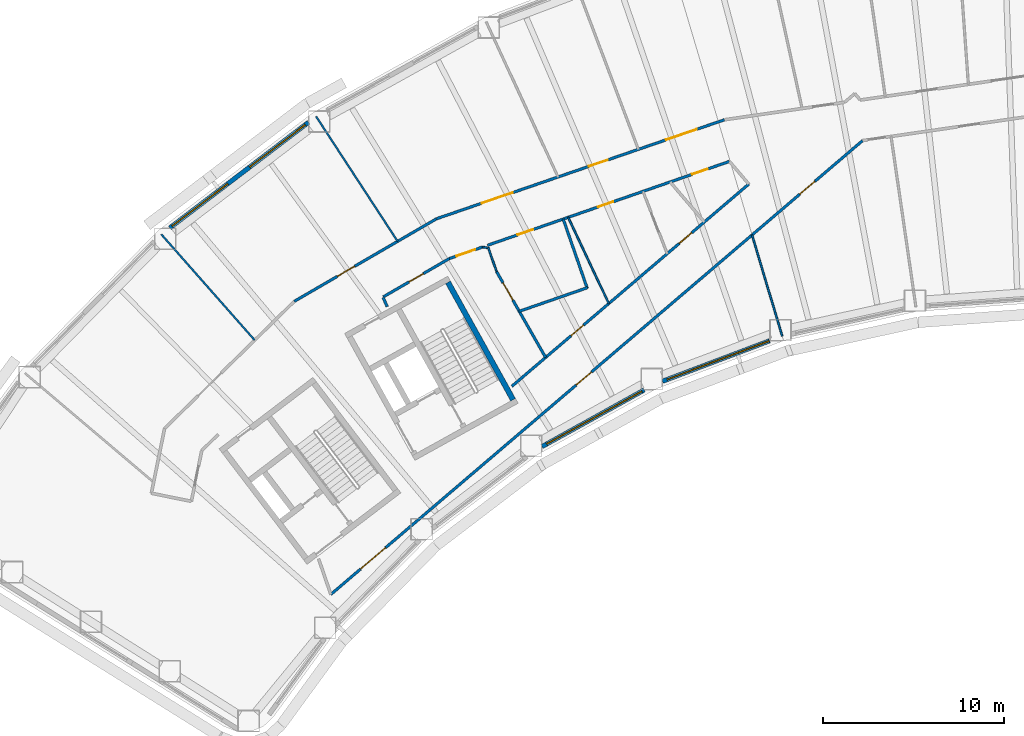
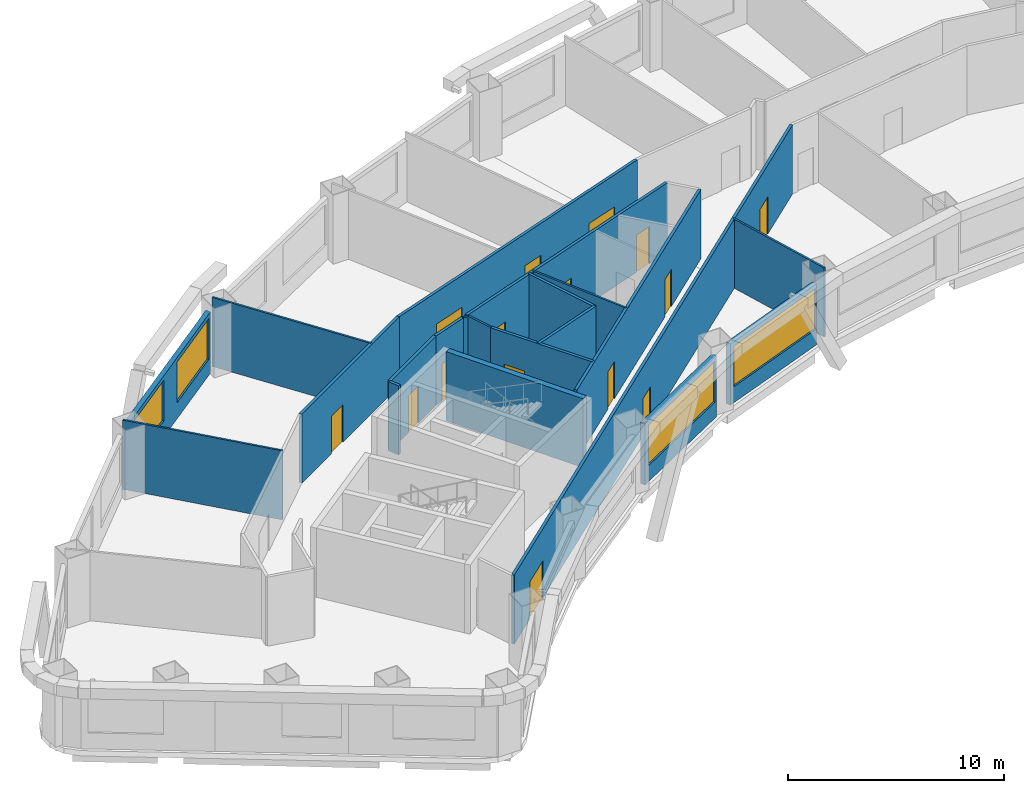
# One storey, part 4 of 15: 21 walls, 15 doors, 4 windows, 19 openings.
"""IFC4 building model written with IfcOpenShell, lengths in metres."""

from ifc_helpers import new_model, si_unit, direction, frame, frame_2d, origin, place, context, subcontext, project, spatial, rectangle, extrude, material, layer, layer_set, type_object, element, fill, save


model = new_model("IFC4")

# Units and contexts
model_context = context("Model", 3, precision=1e-05, world=origin(), true_north=direction((0.0, 1.0)))
body_context = subcontext(model_context, "Body", "Model", "MODEL_VIEW")
ifc_project = project(units=[si_unit("LENGTHUNIT", "METRE"), si_unit("AREAUNIT", "SQUARE_METRE"), si_unit("VOLUMEUNIT", "CUBIC_METRE"), si_unit("PLANEANGLEUNIT", "RADIAN"), si_unit("MASSUNIT", "GRAM", prefix="KILO")], contexts=[model_context])

# Site, building, storey
site_placement = place(None, origin())
site = spatial("IfcSite", under=ifc_project, at=site_placement, CompositionType="ELEMENT")
building_placement = place(site_placement, origin())
building = spatial("IfcBuilding", under=site, at=building_placement, Name="Tuul Gate Civic Tower", CompositionType="ELEMENT")
storey_placement = place(building_placement, frame((0.0, 0.0, 78.0)))
storey = spatial("IfcBuildingStorey", under=building, at=storey_placement, Name="Level 17", CompositionType="ELEMENT", Elevation=78.0)

# Wall
ifc_material_1 = material(Name="Concrete C50/60", Category="concrete")
ifc_layer_1 = layer(ifc_material_1, 0.300048828125)
ifc_layer_set_1 = layer_set([ifc_layer_1], Name="Concrete C50/60")
wall_type_1 = type_object("IfcWallType", Name="Core wall C50/60", PredefinedType="SHEAR", material=ifc_layer_set_1)
wall_1_placement = place(storey_placement, frame((-24.91552734375, -8.6572265625, 0.0), z_axis=(0.0, 0.0, 1.0), x_axis=(-0.484777133038, 0.874637714304, 0.0)))
element("IfcWall", 1, at=wall_1_placement, inside=storey, type_object=wall_type_1, Name="Core wall", PredefinedType="SHEAR", context=body_context, shape_type="SweptSolid", body=[
    extrude(rectangle(XDim=7.400146484375, YDim=0.300048828125, at=frame_2d((3.7001953125, 0.0))), origin(), (0.0, 0.0, 1.0), 3.89990234375),
])

# Wall, openings, doors
ifc_material_2 = material(Name="Gypsum board partition")
ifc_layer_2 = layer(ifc_material_2, 0.14990234375)
ifc_layer_set_2 = layer_set([ifc_layer_2], Name="Gypsum board partition")
wall_type_2 = type_object("IfcWallType", Name="Corridor wall P150", PredefinedType="PARTITIONING", material=ifc_layer_set_2)
wall_2_placement = place(storey_placement, frame((-24.98388671875, -7.9140625, 0.0), z_axis=(0.0, 0.0, 1.0), x_axis=(0.76064807298, 0.649164469971, 0.0)))
wall_2 = element("IfcWall", 2, at=wall_2_placement, inside=storey, type_object=wall_type_2, Name="p032", PredefinedType="PARTITIONING", context=body_context, shape_type="SweptSolid", body=[
    extrude(rectangle(XDim=17.1689453125, YDim=0.14990234375, at=frame_2d((8.58447265625, 0.0))), origin(), (0.0, 0.0, 1.0), 3.89990234375),
])
opening_1_placement = place(wall_2_placement, frame((12.131591796875, 0.0, 0.0)))
opening_1 = element("IfcOpeningElement", 3, at=opening_1_placement, cuts=wall_2, Name="Opening E-D27", PredefinedType="OPENING", context=body_context, shape_type="SweptSolid", body=[
    extrude(rectangle(XDim=0.89990234375, YDim=2.10009765625, at=frame_2d((0.449951171875, 1.050048828125))), frame((0.0, 0.0849609375, 0.0), z_axis=(0.0, -1.0, 0.0), x_axis=(1.0, 0.0, 0.0)), (0.0, 0.0, 1.0), 0.169921875),
])
opening_2_placement = place(wall_2_placement, frame((4.291748046875, 0.0, 0.0)))
opening_2 = element("IfcOpeningElement", 4, at=opening_2_placement, cuts=wall_2, Name="Opening E-D28", PredefinedType="OPENING", context=body_context, shape_type="SweptSolid", body=[
    extrude(rectangle(XDim=0.89990234375, YDim=2.10009765625, at=frame_2d((0.449951171875, 1.050048828125))), frame((0.0, 0.0849609375, 0.0), z_axis=(0.0, -1.0, 0.0), x_axis=(1.0, 0.0, 0.0)), (0.0, 0.0, 1.0), 0.169921875),
])
ifc_material_3 = material(Name="Timber door leaf", Category="wood")
door_type_1 = type_object("IfcDoorType", Name="Door D09", OperationType="NOTDEFINED", PredefinedType="DOOR", material=ifc_material_3)
door_1_placement = place(opening_1_placement, origin())
door_1 = element("IfcDoor", 5, at=door_1_placement, inside=storey, type_object=door_type_1, Name="Door E-D27", OperationType="SINGLE_SWING_LEFT", OverallHeight=2.10009765625, OverallWidth=0.89990234375, PredefinedType="DOOR", context=body_context, shape_type="SweptSolid", body=[
    extrude(rectangle(XDim=0.89990234375, YDim=2.10009765625, at=frame_2d((0.449951171875, 1.050048828125))), frame((0.0, 0.02490234375, 0.0), z_axis=(0.0, -1.0, 0.0), x_axis=(1.0, 0.0, 0.0)), (0.0, 0.0, 1.0), 0.050048828125),
])
fill(opening_1, door_1)
door_2_placement = place(opening_2_placement, origin())
door_2 = element("IfcDoor", 6, at=door_2_placement, inside=storey, type_object=door_type_1, Name="Door E-D28", OperationType="SINGLE_SWING_RIGHT", OverallHeight=2.10009765625, OverallWidth=0.89990234375, PredefinedType="DOOR", context=body_context, shape_type="SweptSolid", body=[
    extrude(rectangle(XDim=0.89990234375, YDim=2.10009765625, at=frame_2d((0.449951171875, 1.050048828125))), frame((0.0, 0.02490234375, 0.0), z_axis=(0.0, -1.0, 0.0), x_axis=(1.0, 0.0, 0.0)), (0.0, 0.0, 1.0), 0.050048828125),
])
fill(opening_2, door_2)

wall_3_placement = place(storey_placement, frame((-29.138427734375, 1.318115234375, 0.0), z_axis=(0.0, 0.0, 1.0), x_axis=(0.945651374617, 0.325182222276, 0.0)))
wall_3 = element("IfcWall", 7, at=wall_3_placement, inside=storey, type_object=wall_type_2, Name="p035", PredefinedType="PARTITIONING", context=body_context, shape_type="SweptSolid", body=[
    extrude(rectangle(XDim=16.7822265625, YDim=0.14990234375, at=frame_2d((8.39111328125, 0.0))), origin(), (0.0, 0.0, 1.0), 3.89990234375),
])
opening_3_placement = place(wall_3_placement, frame((13.3759765625, 0.0, 0.0)))
opening_3 = element("IfcOpeningElement", 8, at=opening_3_placement, cuts=wall_3, Name="Opening E-D10", PredefinedType="OPENING", context=body_context, shape_type="SweptSolid", body=[
    extrude(rectangle(XDim=1.800048828125, YDim=2.10009765625, at=frame_2d((0.89990234375, 1.050048828125))), frame((0.0, 0.0849609375, 0.0), z_axis=(0.0, -1.0, 0.0), x_axis=(1.0, 0.0, 0.0)), (0.0, 0.0, 1.0), 0.169921875),
])
opening_4_placement = place(wall_3_placement, frame((8.877197265625, 0.0, 0.0)))
opening_4 = element("IfcOpeningElement", 9, at=opening_4_placement, cuts=wall_3, Name="Opening E-D11", PredefinedType="OPENING", context=body_context, shape_type="SweptSolid", body=[
    extrude(rectangle(XDim=1.10009765625, YDim=2.10009765625, at=frame_2d((0.550048828125, 1.050048828125))), frame((0.0, 0.0849609375, 0.0), z_axis=(0.0, -1.0, 0.0), x_axis=(1.0, 0.0, 0.0)), (0.0, 0.0, 1.0), 0.169921875),
])
opening_5_placement = place(wall_3_placement, frame((2.642333984375, 0.0, 0.0)))
opening_5 = element("IfcOpeningElement", 10, at=opening_5_placement, cuts=wall_3, Name="Opening E-D12", PredefinedType="OPENING", context=body_context, shape_type="SweptSolid", body=[
    extrude(rectangle(XDim=1.800048828125, YDim=2.10009765625, at=frame_2d((0.89990234375, 1.050048828125))), frame((0.0, 0.0849609375, 0.0), z_axis=(0.0, -1.0, 0.0), x_axis=(1.0, 0.0, 0.0)), (0.0, 0.0, 1.0), 0.169921875),
])
ifc_material_4 = material(Name="Timber door leaf", Category="wood")
door_type_2 = type_object("IfcDoorType", Name="Door D11", OperationType="NOTDEFINED", PredefinedType="DOOR", material=ifc_material_4)
door_3_placement = place(opening_4_placement, origin())
door_3 = element("IfcDoor", 11, at=door_3_placement, inside=storey, type_object=door_type_2, Name="Door E-D11", OperationType="SINGLE_SWING_RIGHT", OverallHeight=2.10009765625, OverallWidth=1.10009765625, PredefinedType="DOOR", context=body_context, shape_type="SweptSolid", body=[
    extrude(rectangle(XDim=1.10009765625, YDim=2.10009765625, at=frame_2d((0.550048828125, 1.050048828125))), frame((0.0, 0.02490234375, 0.0), z_axis=(0.0, -1.0, 0.0), x_axis=(1.0, 0.0, 0.0)), (0.0, 0.0, 1.0), 0.050048828125),
])
fill(opening_4, door_3)
ifc_material_5 = material(Name="Timber door leaf, double", Category="wood")
door_type_3 = type_object("IfcDoorType", Name="Door D18", OperationType="DOUBLE_DOOR_SINGLE_SWING", PredefinedType="DOOR", material=ifc_material_5)
door_4_placement = place(opening_3_placement, origin())
door_4 = element("IfcDoor", 12, at=door_4_placement, inside=storey, type_object=door_type_3, Name="Door E-D10", OperationType="DOUBLE_DOOR_SINGLE_SWING", OverallHeight=2.10009765625, OverallWidth=1.800048828125, PredefinedType="DOOR", context=body_context, shape_type="SweptSolid", body=[
    extrude(rectangle(XDim=1.800048828125, YDim=2.10009765625, at=frame_2d((0.89990234375, 1.050048828125))), frame((0.0, 0.02490234375, 0.0), z_axis=(0.0, -1.0, 0.0), x_axis=(1.0, 0.0, 0.0)), (0.0, 0.0, 1.0), 0.050048828125),
])
fill(opening_3, door_4)
door_5_placement = place(opening_5_placement, origin())
door_5 = element("IfcDoor", 13, at=door_5_placement, inside=storey, type_object=door_type_3, Name="Door E-D12", OperationType="DOUBLE_DOOR_SINGLE_SWING", OverallHeight=2.10009765625, OverallWidth=1.800048828125, PredefinedType="DOOR", context=body_context, shape_type="SweptSolid", body=[
    extrude(rectangle(XDim=1.800048828125, YDim=2.10009765625, at=frame_2d((0.89990234375, 1.050048828125))), frame((0.0, 0.02490234375, 0.0), z_axis=(0.0, -1.0, 0.0), x_axis=(1.0, 0.0, 0.0)), (0.0, 0.0, 1.0), 0.050048828125),
])
fill(opening_5, door_5)

# Wall, opening, door
wall_4_placement = place(storey_placement, frame((-36.976806640625, -3.2333984375, 0.0), z_axis=(0.0, 0.0, 1.0), x_axis=(0.864782531792, 0.502146564967, 0.0)))
wall_4 = element("IfcWall", 14, at=wall_4_placement, inside=storey, type_object=wall_type_2, Name="p038", PredefinedType="PARTITIONING", context=body_context, shape_type="SweptSolid", body=[
    extrude(rectangle(XDim=9.063232421875, YDim=0.14990234375, at=frame_2d((4.53173828125, 0.0))), origin(), (0.0, 0.0, 1.0), 3.89990234375),
])
opening_6_placement = place(wall_4_placement, frame((2.744384765625, 0.0, 0.0)))
opening_6 = element("IfcOpeningElement", 15, at=opening_6_placement, cuts=wall_4, Name="Opening E-D13", PredefinedType="OPENING", context=body_context, shape_type="SweptSolid", body=[
    extrude(rectangle(XDim=1.10009765625, YDim=2.10009765625, at=frame_2d((0.550048828125, 1.050048828125))), frame((0.0, 0.0849609375, 0.0), z_axis=(0.0, -1.0, 0.0), x_axis=(1.0, 0.0, 0.0)), (0.0, 0.0, 1.0), 0.169921875),
])
door_6_placement = place(opening_6_placement, origin())
door_6 = element("IfcDoor", 16, at=door_6_placement, inside=storey, type_object=door_type_2, Name="Door E-D13", OperationType="SINGLE_SWING_RIGHT", OverallHeight=2.10009765625, OverallWidth=1.10009765625, PredefinedType="DOOR", context=body_context, shape_type="SweptSolid", body=[
    extrude(rectangle(XDim=1.10009765625, YDim=2.10009765625, at=frame_2d((0.550048828125, 1.050048828125))), frame((0.0, 0.02490234375, 0.0), z_axis=(0.0, -1.0, 0.0), x_axis=(1.0, 0.0, 0.0)), (0.0, 0.0, 1.0), 0.050048828125),
])
fill(opening_6, door_6)

# Wall, openings, doors
wall_5_placement = place(storey_placement, frame((-34.96142578125, -19.38720703125, 0.0), z_axis=(0.0, 0.0, 1.0), x_axis=(0.760648138959, 0.649164392661, 0.0)))
wall_5 = element("IfcWall", 17, at=wall_5_placement, inside=storey, type_object=wall_type_2, Name="p053", PredefinedType="PARTITIONING", context=body_context, shape_type="SweptSolid", body=[
    extrude(rectangle(XDim=38.529541015625, YDim=0.14990234375, at=frame_2d((19.2646484375, 0.0))), origin(), (0.0, 0.0, 1.0), 3.89990234375),
])
opening_7_placement = place(wall_5_placement, frame((33.977294921875, 0.0, 0.0)))
opening_7 = element("IfcOpeningElement", 18, at=opening_7_placement, cuts=wall_5, Name="Opening E-D17", PredefinedType="OPENING", context=body_context, shape_type="SweptSolid", body=[
    extrude(rectangle(XDim=1.10009765625, YDim=2.10009765625, at=frame_2d((0.550048828125, 1.050048828125))), frame((0.0, 0.0849609375, 0.0), z_axis=(0.0, -1.0, 0.0), x_axis=(1.0, 0.0, 0.0)), (0.0, 0.0, 1.0), 0.169921875),
])
opening_8_placement = place(wall_5_placement, frame((17.776611328125, 0.0, 0.0)))
opening_8 = element("IfcOpeningElement", 19, at=opening_8_placement, cuts=wall_5, Name="Opening E-D18", PredefinedType="OPENING", context=body_context, shape_type="SweptSolid", body=[
    extrude(rectangle(XDim=1.10009765625, YDim=2.10009765625, at=frame_2d((0.550048828125, 1.050048828125))), frame((0.0, 0.0849609375, 0.0), z_axis=(0.0, -1.0, 0.0), x_axis=(1.0, 0.0, 0.0)), (0.0, 0.0, 1.0), 0.169921875),
])
opening_9_placement = place(wall_5_placement, frame((2.1640625, 0.0, 0.0)))
opening_9 = element("IfcOpeningElement", 20, at=opening_9_placement, cuts=wall_5, Name="Opening E-D19", PredefinedType="OPENING", context=body_context, shape_type="SweptSolid", body=[
    extrude(rectangle(XDim=1.800048828125, YDim=2.10009765625, at=frame_2d((0.89990234375, 1.050048828125))), frame((0.0, 0.0849609375, 0.0), z_axis=(0.0, -1.0, 0.0), x_axis=(1.0, 0.0, 0.0)), (0.0, 0.0, 1.0), 0.169921875),
])
door_7_placement = place(opening_7_placement, frame((1.10009765625, 0.0, 0.0), z_axis=(0.0, 0.0, 1.0), x_axis=(-1.0, 0.0, 0.0)))
door_7 = element("IfcDoor", 21, at=door_7_placement, inside=storey, type_object=door_type_2, Name="Door E-D17", OperationType="SINGLE_SWING_LEFT", OverallHeight=2.10009765625, OverallWidth=1.10009765625, PredefinedType="DOOR", context=body_context, shape_type="SweptSolid", body=[
    extrude(rectangle(XDim=1.10009765625, YDim=2.10009765625, at=frame_2d((0.550048828125, 1.050048828125))), frame((0.0, 0.02490234375, 0.0), z_axis=(0.0, -1.0, 0.0), x_axis=(1.0, 0.0, 0.0)), (0.0, 0.0, 1.0), 0.050048828125),
])
fill(opening_7, door_7)
door_8_placement = place(opening_8_placement, frame((1.10009765625, 0.0, 0.0), z_axis=(0.0, 0.0, 1.0), x_axis=(-1.0, 0.0, 0.0)))
door_8 = element("IfcDoor", 22, at=door_8_placement, inside=storey, type_object=door_type_2, Name="Door E-D18", OperationType="SINGLE_SWING_LEFT", OverallHeight=2.10009765625, OverallWidth=1.10009765625, PredefinedType="DOOR", context=body_context, shape_type="SweptSolid", body=[
    extrude(rectangle(XDim=1.10009765625, YDim=2.10009765625, at=frame_2d((0.550048828125, 1.050048828125))), frame((0.0, 0.02490234375, 0.0), z_axis=(0.0, -1.0, 0.0), x_axis=(1.0, 0.0, 0.0)), (0.0, 0.0, 1.0), 0.050048828125),
])
fill(opening_8, door_8)
door_9_placement = place(opening_9_placement, frame((1.800048828125, 0.0, 0.0), z_axis=(0.0, 0.0, 1.0), x_axis=(-1.0, 0.0, 0.0)))
door_9 = element("IfcDoor", 23, at=door_9_placement, inside=storey, type_object=door_type_3, Name="Door E-D19", OperationType="DOUBLE_DOOR_SINGLE_SWING", OverallHeight=2.10009765625, OverallWidth=1.800048828125, PredefinedType="DOOR", context=body_context, shape_type="SweptSolid", body=[
    extrude(rectangle(XDim=1.800048828125, YDim=2.10009765625, at=frame_2d((0.900146484375, 1.050048828125))), frame((0.0, 0.02490234375, 0.0), z_axis=(0.0, -1.0, 0.0), x_axis=(1.0, 0.0, 0.0)), (0.0, 0.0, 1.0), 0.050048828125),
])
fill(opening_9, door_9)

# Wall, opening, door
wall_6_placement = place(storey_placement, frame((-28.43408203125, -0.87451171875, 0.0), z_axis=(0.0, 0.0, 1.0), x_axis=(0.944764559764, 0.327749792698, 0.0)))
wall_6 = element("IfcWall", 24, at=wall_6_placement, inside=storey, type_object=wall_type_2, Name="p069", PredefinedType="PARTITIONING", context=body_context, shape_type="SweptSolid", body=[
    extrude(rectangle(XDim=1.941162109375, YDim=0.14990234375, at=frame_2d((0.970703125, 0.0))), origin(), (0.0, 0.0, 1.0), 3.89990234375),
])
opening_10_placement = place(wall_6_placement, frame((0.420654296875, 0.0, 0.0)))
opening_10 = element("IfcOpeningElement", 25, at=opening_10_placement, cuts=wall_6, Name="Opening E-D35", PredefinedType="OPENING", context=body_context, shape_type="SweptSolid", body=[
    extrude(rectangle(XDim=1.10009765625, YDim=2.10009765625, at=frame_2d((0.550048828125, 1.050048828125))), frame((0.0, 0.0849609375, 0.0), z_axis=(0.0, -1.0, 0.0), x_axis=(1.0, 0.0, 0.0)), (0.0, 0.0, 1.0), 0.169921875),
])
door_10_placement = place(opening_10_placement, frame((1.10009765625, 0.0, 0.0), z_axis=(0.0, 0.0, 1.0), x_axis=(-1.0, 0.0, 0.0)))
door_10 = element("IfcDoor", 26, at=door_10_placement, inside=storey, type_object=door_type_2, Name="Door E-D35", OperationType="SINGLE_SWING_LEFT", OverallHeight=2.10009765625, OverallWidth=1.10009765625, PredefinedType="DOOR", context=body_context, shape_type="SweptSolid", body=[
    extrude(rectangle(XDim=1.10009765625, YDim=2.10009765625, at=frame_2d((0.550048828125, 1.050048828125))), frame((0.0, 0.02490234375, 0.0), z_axis=(0.0, -1.0, 0.0), x_axis=(1.0, 0.0, 0.0)), (0.0, 0.0, 1.0), 0.050048828125),
])
fill(opening_10, door_10)

# Wall, openings, doors
wall_7_placement = place(storey_placement, frame((-26.32861328125, -0.144287109375, 0.0), z_axis=(0.0, 0.0, 1.0), x_axis=(0.944811790796, 0.327613613839, 0.0)))
wall_7 = element("IfcWall", 27, at=wall_7_placement, inside=storey, type_object=wall_type_2, Name="p070", PredefinedType="PARTITIONING", context=body_context, shape_type="SweptSolid", body=[
    extrude(rectangle(XDim=14.1171875, YDim=0.14990234375, at=frame_2d((7.05859375, 0.0))), origin(), (0.0, 0.0, 1.0), 3.89990234375),
])
opening_11_placement = place(wall_7_placement, frame((11.9384765625, 0.0, 0.0)))
opening_11 = element("IfcOpeningElement", 28, at=opening_11_placement, cuts=wall_7, Name="Opening E-D22", PredefinedType="OPENING", context=body_context, shape_type="SweptSolid", body=[
    extrude(rectangle(XDim=0.89990234375, YDim=2.10009765625, at=frame_2d((0.449951171875, 1.050048828125))), frame((0.0, 0.0849609375, 0.0), z_axis=(0.0, -1.0, 0.0), x_axis=(1.0, 0.0, 0.0)), (0.0, 0.0, 1.0), 0.169921875),
])
opening_12_placement = place(wall_7_placement, frame((6.44091796875, 0.0, 0.0)))
opening_12 = element("IfcOpeningElement", 29, at=opening_12_placement, cuts=wall_7, Name="Opening E-D23", PredefinedType="OPENING", context=body_context, shape_type="SweptSolid", body=[
    extrude(rectangle(XDim=0.89990234375, YDim=2.10009765625, at=frame_2d((0.449951171875, 1.050048828125))), frame((0.0, 0.0849609375, 0.0), z_axis=(0.0, -1.0, 0.0), x_axis=(1.0, 0.0, 0.0)), (0.0, 0.0, 1.0), 0.169921875),
])
opening_13_placement = place(wall_7_placement, frame((1.760009765625, 0.0, 0.0)))
opening_13 = element("IfcOpeningElement", 30, at=opening_13_placement, cuts=wall_7, Name="Opening E-D24", PredefinedType="OPENING", context=body_context, shape_type="SweptSolid", body=[
    extrude(rectangle(XDim=0.89990234375, YDim=2.10009765625, at=frame_2d((0.449951171875, 1.050048828125))), frame((0.0, 0.0849609375, 0.0), z_axis=(0.0, -1.0, 0.0), x_axis=(1.0, 0.0, 0.0)), (0.0, 0.0, 1.0), 0.169921875),
])
door_11_placement = place(opening_11_placement, origin())
door_11 = element("IfcDoor", 31, at=door_11_placement, inside=storey, type_object=door_type_1, Name="Door E-D22", OperationType="SINGLE_SWING_RIGHT", OverallHeight=2.10009765625, OverallWidth=0.89990234375, PredefinedType="DOOR", context=body_context, shape_type="SweptSolid", body=[
    extrude(rectangle(XDim=0.89990234375, YDim=2.10009765625, at=frame_2d((0.449951171875, 1.050048828125))), frame((0.0, 0.02490234375, 0.0), z_axis=(0.0, -1.0, 0.0), x_axis=(1.0, 0.0, 0.0)), (0.0, 0.0, 1.0), 0.050048828125),
])
fill(opening_11, door_11)
door_12_placement = place(opening_12_placement, frame((0.89990234375, 0.0, 0.0), z_axis=(0.0, 0.0, 1.0), x_axis=(-1.0, 0.0, 0.0)))
door_12 = element("IfcDoor", 32, at=door_12_placement, inside=storey, type_object=door_type_1, Name="Door E-D23", OperationType="SINGLE_SWING_LEFT", OverallHeight=2.10009765625, OverallWidth=0.89990234375, PredefinedType="DOOR", context=body_context, shape_type="SweptSolid", body=[
    extrude(rectangle(XDim=0.89990234375, YDim=2.10009765625, at=frame_2d((0.449951171875, 1.050048828125))), frame((0.0, 0.02490234375, 0.0), z_axis=(0.0, -1.0, 0.0), x_axis=(1.0, 0.0, 0.0)), (0.0, 0.0, 1.0), 0.050048828125),
])
fill(opening_12, door_12)
door_13_placement = place(opening_13_placement, frame((0.89990234375, 0.0, 0.0), z_axis=(0.0, 0.0, 1.0), x_axis=(-1.0, 0.0, 0.0)))
door_13 = element("IfcDoor", 33, at=door_13_placement, inside=storey, type_object=door_type_1, Name="Door E-D24", OperationType="SINGLE_SWING_LEFT", OverallHeight=2.10009765625, OverallWidth=0.89990234375, PredefinedType="DOOR", context=body_context, shape_type="SweptSolid", body=[
    extrude(rectangle(XDim=0.89990234375, YDim=2.10009765625, at=frame_2d((0.449951171875, 1.050048828125))), frame((0.0, 0.02490234375, 0.0), z_axis=(0.0, -1.0, 0.0), x_axis=(1.0, 0.0, 0.0)), (0.0, 0.0, 1.0), 0.050048828125),
])
fill(opening_13, door_13)

# Walls
wall_8_placement = place(storey_placement, frame((-22.15234375, 1.303466796875, 0.0), z_axis=(0.0, 0.0, 1.0), x_axis=(0.327670095688, -0.944792203816, 0.0)))
element("IfcWall", 34, at=wall_8_placement, inside=storey, type_object=wall_type_2, Name="p076", PredefinedType="PARTITIONING", context=body_context, shape_type="SweptSolid", body=[
    extrude(rectangle(XDim=4.031005859375, YDim=0.14990234375, at=frame_2d((2.015625, 0.0))), origin(), (0.0, 0.0, 1.0), 3.89990234375),
])
wall_9_placement = place(storey_placement, frame((-24.5908203125, -3.78662109375, 0.0), z_axis=(0.0, 0.0, 1.0), x_axis=(0.944785976985, 0.32768804936, 0.0)))
element("IfcWall", 35, at=wall_9_placement, inside=storey, type_object=wall_type_2, Name="p077", PredefinedType="PARTITIONING", context=body_context, shape_type="SweptSolid", body=[
    extrude(rectangle(XDim=3.99267578125, YDim=0.14990234375, at=frame_2d((1.996337890625, 0.0))), origin(), (0.0, 0.0, 1.0), 3.89990234375),
])

# Wall, opening, door
wall_10_placement = place(storey_placement, frame((-25.826416015625, -1.592041015625, 0.0), z_axis=(0.0, 0.0, 1.0), x_axis=(0.49620163968, -0.868207309793, 0.0)))
wall_10 = element("IfcWall", 36, at=wall_10_placement, inside=storey, type_object=wall_type_2, Name="p078", PredefinedType="PARTITIONING", context=body_context, shape_type="SweptSolid", body=[
    extrude(rectangle(XDim=5.451171875, YDim=0.14990234375, at=frame_2d((2.7255859375, 0.0))), origin(), (0.0, 0.0, 1.0), 3.89990234375),
])
opening_14_placement = place(wall_10_placement, frame((0.710693359375, 0.0, 0.0)))
opening_14 = element("IfcOpeningElement", 37, at=opening_14_placement, cuts=wall_10, Name="Opening E-D34", PredefinedType="OPENING", context=body_context, shape_type="SweptSolid", body=[
    extrude(rectangle(XDim=1.10009765625, YDim=2.10009765625, at=frame_2d((0.550048828125, 1.050048828125))), frame((0.0, 0.0849609375, 0.0), z_axis=(0.0, -1.0, 0.0), x_axis=(1.0, 0.0, 0.0)), (0.0, 0.0, 1.0), 0.169921875),
])
door_14_placement = place(opening_14_placement, frame((1.10009765625, 0.0, 0.0), z_axis=(0.0, 0.0, 1.0), x_axis=(-1.0, 0.0, 0.0)))
door_14 = element("IfcDoor", 38, at=door_14_placement, inside=storey, type_object=door_type_2, Name="Door E-D34", OperationType="SINGLE_SWING_LEFT", OverallHeight=2.10009765625, OverallWidth=1.10009765625, PredefinedType="DOOR", context=body_context, shape_type="SweptSolid", body=[
    extrude(rectangle(XDim=1.10009765625, YDim=2.10009765625, at=frame_2d((0.550048828125, 1.050048828125))), frame((0.0, 0.02490234375, 0.0), z_axis=(0.0, -1.0, 0.0), x_axis=(1.0, 0.0, 0.0)), (0.0, 0.0, 1.0), 0.050048828125),
])
fill(opening_14, door_14)

# Wall
wall_11_placement = place(storey_placement, frame((-32.08203125, -3.013671875, 0.0), z_axis=(0.0, 0.0, 1.0), x_axis=(0.405211430206, -0.914223001696, 0.0)))
element("IfcWall", 39, at=wall_11_placement, inside=storey, type_object=wall_type_2, Name="p080", PredefinedType="PARTITIONING", context=body_context, shape_type="SweptSolid", body=[
    extrude(rectangle(XDim=0.562255859375, YDim=0.14990234375, at=frame_2d((0.28125, 0.0))), origin(), (0.0, 0.0, 1.0), 3.89990234375),
])

# Wall, opening, door
wall_12_placement = place(storey_placement, frame((-32.073974609375, -2.98828125, 0.0), z_axis=(0.0, 0.0, 1.0), x_axis=(0.864781627079, 0.502148123035, 0.0)))
wall_12 = element("IfcWall", 40, at=wall_12_placement, inside=storey, type_object=wall_type_2, Name="p081", PredefinedType="PARTITIONING", context=body_context, shape_type="SweptSolid", body=[
    extrude(rectangle(XDim=4.205078125, YDim=0.14990234375, at=frame_2d((2.1025390625, 0.0))), origin(), (0.0, 0.0, 1.0), 3.89990234375),
])
opening_15_placement = place(wall_12_placement, frame((1.652587890625, 0.0, 0.0)))
opening_15 = element("IfcOpeningElement", 41, at=opening_15_placement, cuts=wall_12, Name="Opening E-D25", PredefinedType="OPENING", context=body_context, shape_type="SweptSolid", body=[
    extrude(rectangle(XDim=0.89990234375, YDim=2.10009765625, at=frame_2d((0.449951171875, 1.050048828125))), frame((0.0, 0.0849609375, 0.0), z_axis=(0.0, -1.0, 0.0), x_axis=(1.0, 0.0, 0.0)), (0.0, 0.0, 1.0), 0.169921875),
])
door_15_placement = place(opening_15_placement, origin())
door_15 = element("IfcDoor", 42, at=door_15_placement, inside=storey, type_object=door_type_1, Name="Door E-D25", OperationType="SINGLE_SWING_RIGHT", OverallHeight=2.10009765625, OverallWidth=0.89990234375, PredefinedType="DOOR", context=body_context, shape_type="SweptSolid", body=[
    extrude(rectangle(XDim=0.89990234375, YDim=2.10009765625, at=frame_2d((0.449951171875, 1.050048828125))), frame((0.0, 0.02490234375, 0.0), z_axis=(0.0, -1.0, 0.0), x_axis=(1.0, 0.0, 0.0)), (0.0, 0.0, 1.0), 0.050048828125),
])
fill(opening_15, door_15)

# Wall, openings, windows
ifc_material_6 = material(Name="Precast concrete C40/50", Category="concrete")
ifc_layer_3 = layer(ifc_material_6, 0.25)
ifc_layer_set_3 = layer_set([ifc_layer_3], Name="Precast concrete C40/50")
wall_type_3 = type_object("IfcWallType", Name="External wall", PredefinedType="STANDARD", material=ifc_layer_set_3)
wall_13_placement = place(storey_placement, frame((-36.194091796875, 6.635986328125, 0.0), z_axis=(0.0, 0.0, 1.0), x_axis=(-0.795611941646, -0.605806601409, 0.0)))
wall_13 = element("IfcWall", 43, at=wall_13_placement, inside=storey, type_object=wall_type_3, Name="External wall", PredefinedType="STANDARD", context=body_context, shape_type="SweptSolid", body=[
    extrude(rectangle(XDim=9.607177734375, YDim=0.25, at=frame_2d((4.8037109375, 0.0))), origin(), (0.0, 0.0, 1.0), 3.449951171875),
])
opening_16_placement = place(wall_13_placement, frame((0.221923828125, 0.0, 0.89990234375)))
opening_16 = element("IfcOpeningElement", 44, at=opening_16_placement, cuts=wall_13, Name="Opening W22", PredefinedType="OPENING", context=body_context, shape_type="SweptSolid", body=[
    extrude(rectangle(XDim=3.85009765625, YDim=2.300048828125, at=frame_2d((1.925048828125, 1.14990234375))), frame((0.0, 0.135009765625, 0.0), z_axis=(0.0, -1.0, 0.0), x_axis=(1.0, 0.0, 0.0)), (0.0, 0.0, 1.0), 0.27001953125),
])
opening_17_placement = place(wall_13_placement, frame((5.59326171875, 0.0, 0.89990234375)))
opening_17 = element("IfcOpeningElement", 45, at=opening_17_placement, cuts=wall_13, Name="Opening W22", PredefinedType="OPENING", context=body_context, shape_type="SweptSolid", body=[
    extrude(rectangle(XDim=3.85009765625, YDim=2.300048828125, at=frame_2d((1.925048828125, 1.14990234375))), frame((0.0, 0.135009765625, 0.0), z_axis=(0.0, -1.0, 0.0), x_axis=(1.0, 0.0, 0.0)), (0.0, 0.0, 1.0), 0.27001953125),
])
ifc_material_7 = material(Name="Glass", Category="glass")
window_type_1 = type_object("IfcWindowType", Name="Window W22 3850 x 2300", PartitioningType="SINGLE_PANEL", PredefinedType="WINDOW", material=ifc_material_7)
window_1_placement = place(opening_16_placement, origin())
window_1 = element("IfcWindow", 46, at=window_1_placement, inside=storey, type_object=window_type_1, Name="Window", OverallHeight=2.300048828125, OverallWidth=3.85009765625, PartitioningType="SINGLE_PANEL", PredefinedType="WINDOW", context=body_context, shape_type="SweptSolid", body=[
    extrude(rectangle(XDim=3.85009765625, YDim=2.300048828125, at=frame_2d((1.925048828125, 1.14990234375))), frame((0.0, 0.030029296875, 0.0), z_axis=(0.0, -1.0, 0.0), x_axis=(1.0, 0.0, 0.0)), (0.0, 0.0, 1.0), 0.06005859375),
])
fill(opening_16, window_1)
window_2_placement = place(opening_17_placement, origin())
window_2 = element("IfcWindow", 47, at=window_2_placement, inside=storey, type_object=window_type_1, Name="Window", OverallHeight=2.300048828125, OverallWidth=3.85009765625, PartitioningType="SINGLE_PANEL", PredefinedType="WINDOW", context=body_context, shape_type="SweptSolid", body=[
    extrude(rectangle(XDim=3.85009765625, YDim=2.300048828125, at=frame_2d((1.925048828125, 1.14990234375))), frame((0.0, 0.030029296875, 0.0), z_axis=(0.0, -1.0, 0.0), x_axis=(1.0, 0.0, 0.0)), (0.0, 0.0, 1.0), 0.06005859375),
])
fill(opening_17, window_2)

# Wall, opening, window
wall_14_placement = place(storey_placement, frame((-23.318115234375, -11.23583984375, 0.0), z_axis=(0.0, 0.0, 1.0), x_axis=(0.874622293174, 0.484804954888, 0.0)))
wall_14 = element("IfcWall", 48, at=wall_14_placement, inside=storey, type_object=wall_type_3, Name="External wall", PredefinedType="STANDARD", context=body_context, shape_type="SweptSolid", body=[
    extrude(rectangle(XDim=6.433349609375, YDim=0.25, at=frame_2d((3.216796875, 0.0))), origin(), (0.0, 0.0, 1.0), 3.449951171875),
])
opening_18_placement = place(wall_14_placement, frame((0.289306640625, 0.0, 0.89990234375)))
opening_18 = element("IfcOpeningElement", 49, at=opening_18_placement, cuts=wall_14, Name="Opening W26", PredefinedType="OPENING", context=body_context, shape_type="SweptSolid", body=[
    extrude(rectangle(XDim=6.0, YDim=2.300048828125, at=frame_2d((3.0, 1.14990234375))), frame((0.0, 0.135009765625, 0.0), z_axis=(0.0, -1.0, 0.0), x_axis=(1.0, 0.0, 0.0)), (0.0, 0.0, 1.0), 0.27001953125),
])
ifc_material_8 = material(Name="Glass", Category="glass")
window_type_2 = type_object("IfcWindowType", Name="Window W26 6000 x 2300", PartitioningType="SINGLE_PANEL", PredefinedType="WINDOW", material=ifc_material_8)
window_3_placement = place(opening_18_placement, origin())
window_3 = element("IfcWindow", 50, at=window_3_placement, inside=storey, type_object=window_type_2, Name="Window", OverallHeight=2.300048828125, OverallWidth=6.0, PartitioningType="SINGLE_PANEL", PredefinedType="WINDOW", context=body_context, shape_type="SweptSolid", body=[
    extrude(rectangle(XDim=6.0, YDim=2.300048828125, at=frame_2d((3.0, 1.14990234375))), frame((0.0, 0.030029296875, 0.0), z_axis=(0.0, -1.0, 0.0), x_axis=(1.0, 0.0, 0.0)), (0.0, 0.0, 1.0), 0.06005859375),
])
fill(opening_18, window_3)

wall_15_placement = place(storey_placement, frame((-16.677978515625, -7.636962890625, 0.0), z_axis=(0.0, 0.0, 1.0), x_axis=(0.935355477431, 0.353709104829, 0.0)))
wall_15 = element("IfcWall", 51, at=wall_15_placement, inside=storey, type_object=wall_type_3, Name="External wall", PredefinedType="STANDARD", context=body_context, shape_type="SweptSolid", body=[
    extrude(rectangle(XDim=6.30859375, YDim=0.25, at=frame_2d((3.154296875, 0.0))), origin(), (0.0, 0.0, 1.0), 3.449951171875),
])
opening_19_placement = place(wall_15_placement, frame((0.276611328125, 0.0, 0.89990234375)))
opening_19 = element("IfcOpeningElement", 52, at=opening_19_placement, cuts=wall_15, Name="Opening W26", PredefinedType="OPENING", context=body_context, shape_type="SweptSolid", body=[
    extrude(rectangle(XDim=6.0, YDim=2.300048828125, at=frame_2d((3.0, 1.14990234375))), frame((0.0, 0.135009765625, 0.0), z_axis=(0.0, -1.0, 0.0), x_axis=(1.0, 0.0, 0.0)), (0.0, 0.0, 1.0), 0.27001953125),
])
window_4_placement = place(opening_19_placement, origin())
window_4 = element("IfcWindow", 53, at=window_4_placement, inside=storey, type_object=window_type_2, Name="Window", OverallHeight=2.300048828125, OverallWidth=6.0, PartitioningType="SINGLE_PANEL", PredefinedType="WINDOW", context=body_context, shape_type="SweptSolid", body=[
    extrude(rectangle(XDim=6.0, YDim=2.300048828125, at=frame_2d((3.0, 1.14990234375))), frame((0.0, 0.030029296875, 0.0), z_axis=(0.0, -1.0, 0.0), x_axis=(1.0, 0.0, 0.0)), (0.0, 0.0, 1.0), 0.06005859375),
])
fill(opening_19, window_4)

# Walls
ifc_material_9 = material(Name="Gypsum board partition")
ifc_layer_4 = layer(ifc_material_9, 0.10009765625)
ifc_layer_set_4 = layer_set([ifc_layer_4], Name="Gypsum board partition")
wall_type_4 = type_object("IfcWallType", Name="Partition P100", PredefinedType="PARTITIONING", material=ifc_layer_set_4)
wall_16_placement = place(storey_placement, frame((-35.77490234375, 6.96142578125, 0.0), z_axis=(0.0, 0.0, 1.0), x_axis=(0.546700558779, -0.837328190754, 0.0)))
element("IfcWall", 54, at=wall_16_placement, inside=storey, type_object=wall_type_4, Name="p037", PredefinedType="PARTITIONING", context=body_context, shape_type="SweptSolid", body=[
    extrude(rectangle(XDim=8.22412109375, YDim=0.10009765625, at=frame_2d((4.112060546875, 0.0))), origin(), (0.0, 0.0, 1.0), 3.89990234375),
])
wall_17_placement = place(storey_placement, frame((-44.30810546875, 0.464111328125, 0.0), z_axis=(0.0, 0.0, 1.0), x_axis=(0.661682837076, -0.749783850933, 0.0)))
element("IfcWall", 55, at=wall_17_placement, inside=storey, type_object=wall_type_4, Name="p039", PredefinedType="PARTITIONING", context=body_context, shape_type="SweptSolid", body=[
    extrude(rectangle(XDim=7.7841796875, YDim=0.10009765625, at=frame_2d((3.89208984375, 0.0))), origin(), (0.0, 0.0, 1.0), 3.89990234375),
])
wall_18_placement = place(storey_placement, frame((-11.74267578125, 0.4287109375, 0.0), z_axis=(0.0, 0.0, 1.0), x_axis=(0.285210923821, -0.958464777096, 0.0)))
element("IfcWall", 56, at=wall_18_placement, inside=storey, type_object=wall_type_4, Name="p052", PredefinedType="PARTITIONING", context=body_context, shape_type="SweptSolid", body=[
    extrude(rectangle(XDim=5.819091796875, YDim=0.10009765625, at=frame_2d((2.90966796875, 0.0))), origin(), (0.0, 0.0, 1.0), 3.89990234375),
])
wall_19_placement = place(storey_placement, frame((-21.881103515625, 1.397705078125, 0.0), z_axis=(0.0, 0.0, 1.0), x_axis=(0.426591418653, -0.904444449113, 0.0)))
element("IfcWall", 57, at=wall_19_placement, inside=storey, type_object=wall_type_4, Name="p073", PredefinedType="PARTITIONING", context=body_context, shape_type="SweptSolid", body=[
    extrude(rectangle(XDim=5.253173828125, YDim=0.10009765625, at=frame_2d((2.62646484375, 0.0))), origin(), (0.0, 0.0, 1.0), 3.89990234375),
])
wall_20_placement = place(storey_placement, frame((-25.826416015625, -1.592041015625, 0.0), z_axis=(0.0, 0.0, 1.0), x_axis=(-0.327706339818, 0.944779632953, 0.0)))
element("IfcWall", 58, at=wall_20_placement, inside=storey, type_object=wall_type_4, Name="p083", PredefinedType="PARTITIONING", context=body_context, shape_type="SweptSolid", body=[
    extrude(rectangle(XDim=1.4072265625, YDim=0.10009765625, at=frame_2d((0.70361328125, 0.0))), origin(), (0.0, 0.0, 1.0), 3.89990234375),
])
wall_21_placement = place(storey_placement, frame((-26.60009765625, -0.23828125, 0.0), z_axis=(0.0, 0.0, 1.0), x_axis=(0.988539309226, -0.150963684758, 0.0)))
element("IfcWall", 59, at=wall_21_placement, inside=storey, type_object=wall_type_4, Name="p084", PredefinedType="PARTITIONING", context=body_context, shape_type="SweptSolid", body=[
    extrude(rectangle(XDim=0.2685546875, YDim=0.10009765625, at=frame_2d((0.13427734375, 0.0))), origin(), (0.0, 0.0, 1.0), 3.89990234375),
])

save(model, "model.ifc")
